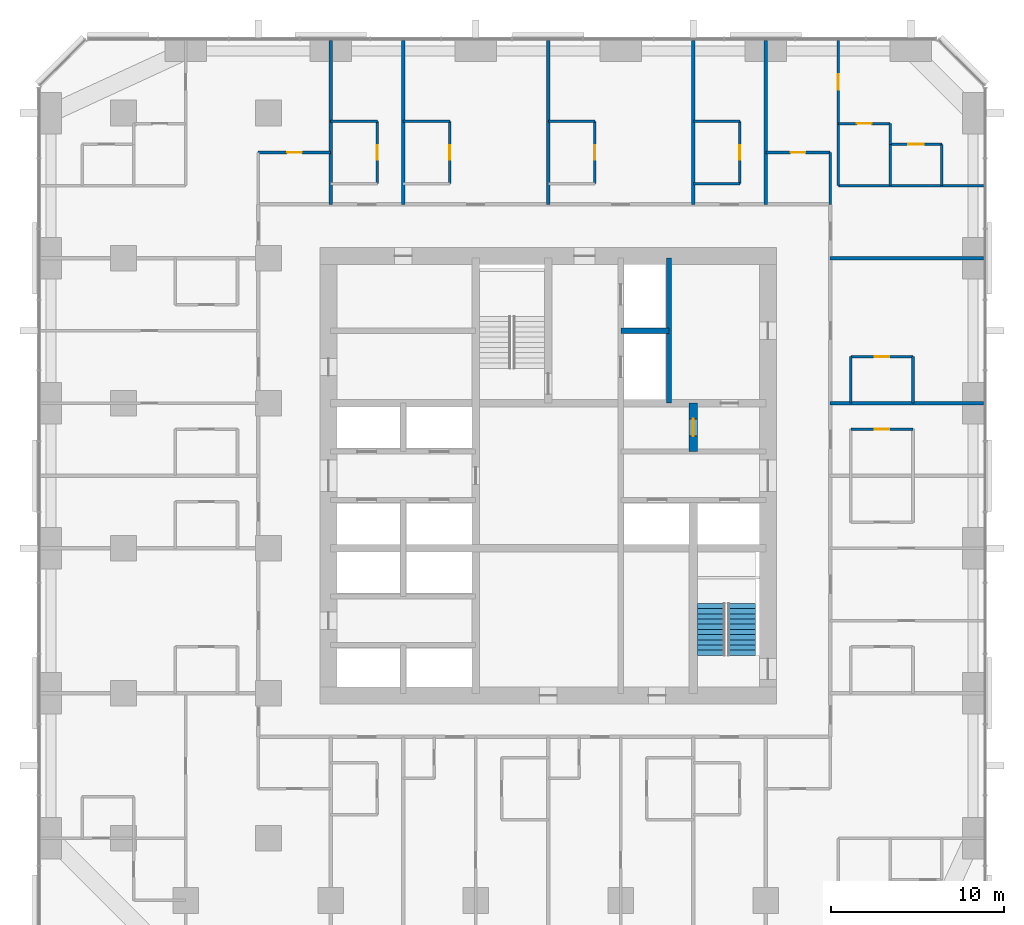
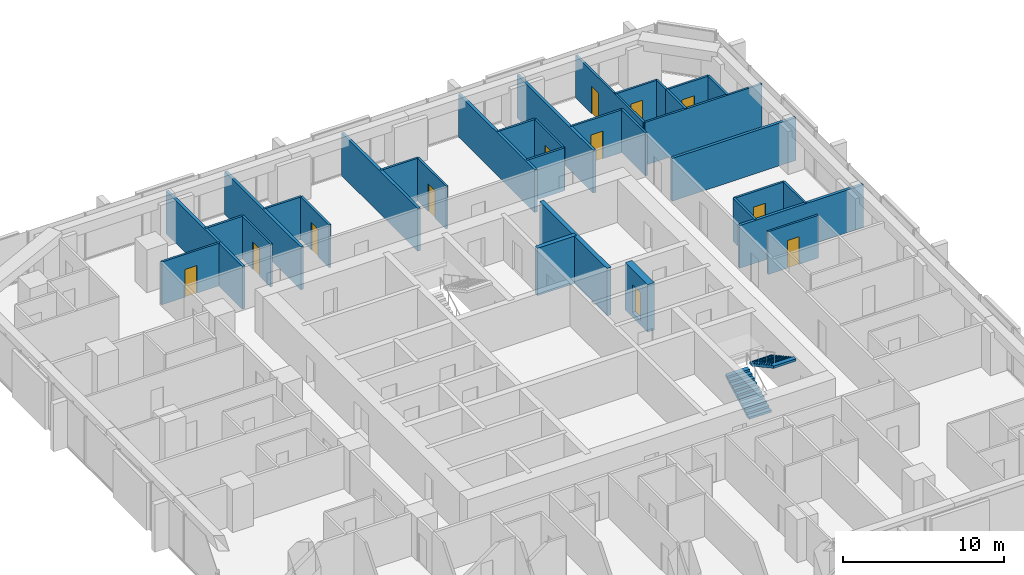
# One storey, part 12 of 14: 33 walls, 12 doors, 2 stair flights, 12 openings, 1 element without a shape of its own.
"""IFC4 building model written with IfcOpenShell, lengths in metres."""

from ifc_helpers import new_model, si_unit, direction, frame, frame_2d, origin, place, context, subcontext, project, spatial, polyline, rectangle, outline, extrude, material, layer, layer_set, type_object, element, fill, aggregate, save


model = new_model("IFC4")

# Units and contexts
model_context = context("Model", 3, precision=1e-05, world=origin(), true_north=direction((0.0, 1.0)))
body_context = subcontext(model_context, "Body", "Model", "MODEL_VIEW")
ifc_project = project(units=[si_unit("LENGTHUNIT", "METRE"), si_unit("AREAUNIT", "SQUARE_METRE"), si_unit("VOLUMEUNIT", "CUBIC_METRE"), si_unit("PLANEANGLEUNIT", "RADIAN"), si_unit("MASSUNIT", "GRAM", prefix="KILO")], contexts=[model_context])

# Site, building, storey
site_placement = place(None, origin())
site = spatial("IfcSite", under=ifc_project, at=site_placement, CompositionType="ELEMENT")
building_placement = place(site_placement, origin())
building = spatial("IfcBuilding", under=site, at=building_placement, Name="Dunama Terrace Hotel", CompositionType="ELEMENT")
storey_placement = place(building_placement, frame((0.0, 0.0, 133.199951171875)))
storey = spatial("IfcBuildingStorey", under=building, at=storey_placement, Name="L34", CompositionType="ELEMENT", Elevation=133.199951171875)

# Wall, opening, door
ifc_material_1 = material(Name="Gypsum board partition", Category="masonry")
ifc_layer_1 = layer(ifc_material_1, 0.14990234375)
ifc_layer_set_1 = layer_set([ifc_layer_1], Name="Bathroom partition 150")
wall_type_1 = type_object("IfcWallType", Name="Bathroom partition 150", PredefinedType="PARTITIONING", material=ifc_layer_set_1)
wall_1_placement = place(storey_placement, frame((19.5, 46.324951171875, 0.0), z_axis=(0.0, 0.0, 1.0), x_axis=(0.0, 1.0, 0.0)))
wall_1 = element("IfcWall", 1, at=wall_1_placement, inside=storey, type_object=wall_type_1, Name="Bathroom partition 150 L34", PredefinedType="PARTITIONING", context=body_context, shape_type="SweptSolid", body=[
    extrude(rectangle(XDim=3.60009765625, YDim=0.14990234375, at=frame_2d((1.800048828125, 0.0))), origin(), (0.0, 0.0, 1.0), 3.25),
])
opening_1_placement = place(wall_1_placement, frame((1.375, 0.0, 0.0)))
opening_1 = element("IfcOpeningElement", 2, at=opening_1_placement, cuts=wall_1, Name="Opening L34-36-033", PredefinedType="OPENING", context=body_context, shape_type="SweptSolid", body=[
    extrude(rectangle(XDim=0.85009765625, YDim=2.10009765625, at=frame_2d((0.425048828125, 1.050048828125))), frame((0.0, 0.0849609375, 0.0), z_axis=(0.0, -1.0, 0.0), x_axis=(1.0, 0.0, 0.0)), (0.0, 0.0, 1.0), 0.169921875),
])
ifc_material_2 = material(Name="Timber door with steel frame", Category="steel")
door_type_1 = type_object("IfcDoorType", Name="Bathroom door 850", OperationType="SINGLE_SWING_LEFT", PredefinedType="DOOR", material=ifc_material_2)
door_1_placement = place(opening_1_placement, origin())
door_1 = element("IfcDoor", 3, at=door_1_placement, inside=storey, type_object=door_type_1, Name="Door to en-suite bathroom L34-36-033, type D2", OperationType="SINGLE_SWING_RIGHT", OverallHeight=2.10009765625, OverallWidth=0.85009765625, PredefinedType="DOOR", context=body_context, shape_type="SweptSolid", body=[
    extrude(rectangle(XDim=0.85009765625, YDim=2.10009765625, at=frame_2d((0.425048828125, 1.050048828125))), frame((0.0, 0.02490234375, 0.0), z_axis=(0.0, -1.0, 0.0), x_axis=(1.0, 0.0, 0.0)), (0.0, 0.0, 1.0), 0.050048828125),
])
fill(opening_1, door_1)

wall_2_placement = place(storey_placement, frame((23.699951171875, 46.324951171875, 0.0), z_axis=(0.0, 0.0, 1.0), x_axis=(0.0, 1.0, 0.0)))
wall_2 = element("IfcWall", 4, at=wall_2_placement, inside=storey, type_object=wall_type_1, Name="Bathroom partition 150 L34", PredefinedType="PARTITIONING", context=body_context, shape_type="SweptSolid", body=[
    extrude(rectangle(XDim=3.60009765625, YDim=0.14990234375, at=frame_2d((1.800048828125, 0.0))), origin(), (0.0, 0.0, 1.0), 3.25),
])
opening_2_placement = place(wall_2_placement, frame((1.375, 0.0, 0.0)))
opening_2 = element("IfcOpeningElement", 5, at=opening_2_placement, cuts=wall_2, Name="Opening L34-36-035", PredefinedType="OPENING", context=body_context, shape_type="SweptSolid", body=[
    extrude(rectangle(XDim=0.85009765625, YDim=2.10009765625, at=frame_2d((0.425048828125, 1.050048828125))), frame((0.0, 0.0849609375, 0.0), z_axis=(0.0, -1.0, 0.0), x_axis=(1.0, 0.0, 0.0)), (0.0, 0.0, 1.0), 0.169921875),
])
door_2_placement = place(opening_2_placement, origin())
door_2 = element("IfcDoor", 6, at=door_2_placement, inside=storey, type_object=door_type_1, Name="Door to en-suite bathroom L34-36-035, type D2", OperationType="SINGLE_SWING_RIGHT", OverallHeight=2.10009765625, OverallWidth=0.85009765625, PredefinedType="DOOR", context=body_context, shape_type="SweptSolid", body=[
    extrude(rectangle(XDim=0.85009765625, YDim=2.10009765625, at=frame_2d((0.425048828125, 1.050048828125))), frame((0.0, 0.02490234375, 0.0), z_axis=(0.0, -1.0, 0.0), x_axis=(1.0, 0.0, 0.0)), (0.0, 0.0, 1.0), 0.050048828125),
])
fill(opening_2, door_2)

wall_3_placement = place(storey_placement, frame((32.10009765625, 46.324951171875, 0.0), z_axis=(0.0, 0.0, 1.0), x_axis=(0.0, 1.0, 0.0)))
wall_3 = element("IfcWall", 7, at=wall_3_placement, inside=storey, type_object=wall_type_1, Name="Bathroom partition 150 L34", PredefinedType="PARTITIONING", context=body_context, shape_type="SweptSolid", body=[
    extrude(rectangle(XDim=3.60009765625, YDim=0.14990234375, at=frame_2d((1.800048828125, 0.0))), origin(), (0.0, 0.0, 1.0), 3.25),
])
opening_3_placement = place(wall_3_placement, frame((1.375, 0.0, 0.0)))
opening_3 = element("IfcOpeningElement", 8, at=opening_3_placement, cuts=wall_3, Name="Opening L34-36-037", PredefinedType="OPENING", context=body_context, shape_type="SweptSolid", body=[
    extrude(rectangle(XDim=0.85009765625, YDim=2.10009765625, at=frame_2d((0.425048828125, 1.050048828125))), frame((0.0, 0.0849609375, 0.0), z_axis=(0.0, -1.0, 0.0), x_axis=(1.0, 0.0, 0.0)), (0.0, 0.0, 1.0), 0.169921875),
])
door_3_placement = place(opening_3_placement, origin())
door_3 = element("IfcDoor", 9, at=door_3_placement, inside=storey, type_object=door_type_1, Name="Door to en-suite bathroom L34-36-037, type D2", OperationType="SINGLE_SWING_RIGHT", OverallHeight=2.10009765625, OverallWidth=0.85009765625, PredefinedType="DOOR", context=body_context, shape_type="SweptSolid", body=[
    extrude(rectangle(XDim=0.85009765625, YDim=2.10009765625, at=frame_2d((0.425048828125, 1.050048828125))), frame((0.0, 0.02490234375, 0.0), z_axis=(0.0, -1.0, 0.0), x_axis=(1.0, 0.0, 0.0)), (0.0, 0.0, 1.0), 0.050048828125),
])
fill(opening_3, door_3)

wall_4_placement = place(storey_placement, frame((40.5, 46.324951171875, 0.0), z_axis=(0.0, 0.0, 1.0), x_axis=(0.0, 1.0, 0.0)))
wall_4 = element("IfcWall", 10, at=wall_4_placement, inside=storey, type_object=wall_type_1, Name="Bathroom partition 150 L34", PredefinedType="PARTITIONING", context=body_context, shape_type="SweptSolid", body=[
    extrude(rectangle(XDim=3.60009765625, YDim=0.14990234375, at=frame_2d((1.800048828125, 0.0))), origin(), (0.0, 0.0, 1.0), 3.25),
])
opening_4_placement = place(wall_4_placement, frame((1.375, 0.0, 0.0)))
opening_4 = element("IfcOpeningElement", 11, at=opening_4_placement, cuts=wall_4, Name="Opening L34-36-039", PredefinedType="OPENING", context=body_context, shape_type="SweptSolid", body=[
    extrude(rectangle(XDim=0.85009765625, YDim=2.10009765625, at=frame_2d((0.425048828125, 1.050048828125))), frame((0.0, 0.0849609375, 0.0), z_axis=(0.0, -1.0, 0.0), x_axis=(1.0, 0.0, 0.0)), (0.0, 0.0, 1.0), 0.169921875),
])
door_4_placement = place(opening_4_placement, origin())
door_4 = element("IfcDoor", 12, at=door_4_placement, inside=storey, type_object=door_type_1, Name="Door to en-suite bathroom L34-36-039, type D2", OperationType="SINGLE_SWING_RIGHT", OverallHeight=2.10009765625, OverallWidth=0.85009765625, PredefinedType="DOOR", context=body_context, shape_type="SweptSolid", body=[
    extrude(rectangle(XDim=0.85009765625, YDim=2.10009765625, at=frame_2d((0.425048828125, 1.050048828125))), frame((0.0, 0.02490234375, 0.0), z_axis=(0.0, -1.0, 0.0), x_axis=(1.0, 0.0, 0.0)), (0.0, 0.0, 1.0), 0.050048828125),
])
fill(opening_4, door_4)

# Walls
wall_5_placement = place(storey_placement, frame((45.72509765625, 45.125, 0.0), z_axis=(0.0, 0.0, 1.0), x_axis=(0.0, 1.0, 0.0)))
element("IfcWall", 13, at=wall_5_placement, inside=storey, type_object=wall_type_1, Name="Bathroom partition 150 L34", PredefinedType="PARTITIONING", context=body_context, shape_type="SweptSolid", body=[
    extrude(rectangle(XDim=3.0, YDim=0.14990234375, at=frame_2d((1.5, 0.0))), origin(), (0.0, 0.0, 1.0), 3.25),
])
wall_6_placement = place(storey_placement, frame((46.925048828125, 33.60009765625, 0.0), z_axis=(0.0, 0.0, 1.0), x_axis=(0.0, 1.0, 0.0)))
element("IfcWall", 14, at=wall_6_placement, inside=storey, type_object=wall_type_1, Name="Bathroom partition 150 L34", PredefinedType="PARTITIONING", context=body_context, shape_type="SweptSolid", body=[
    extrude(rectangle(XDim=2.699951171875, YDim=0.14990234375, at=frame_2d((1.35009765625, 0.0))), origin(), (0.0, 0.0, 1.0), 3.25),
])
wall_7_placement = place(storey_placement, frame((49.199951171875, 48.60009765625, 0.0), z_axis=(0.0, 0.0, 1.0), x_axis=(0.0, 1.0, 0.0)))
element("IfcWall", 15, at=wall_7_placement, inside=storey, type_object=wall_type_1, Name="Bathroom partition 150 L34", PredefinedType="PARTITIONING", context=body_context, shape_type="SweptSolid", body=[
    extrude(rectangle(XDim=1.199951171875, YDim=0.14990234375, at=frame_2d((0.60009765625, 0.0))), origin(), (0.0, 0.0, 1.0), 3.25),
])
wall_8_placement = place(storey_placement, frame((50.52490234375, 33.60009765625, 0.0), z_axis=(0.0, 0.0, 1.0), x_axis=(0.0, 1.0, 0.0)))
element("IfcWall", 16, at=wall_8_placement, inside=storey, type_object=wall_type_1, Name="Bathroom partition 150 L34", PredefinedType="PARTITIONING", context=body_context, shape_type="SweptSolid", body=[
    extrude(rectangle(XDim=2.699951171875, YDim=0.14990234375, at=frame_2d((1.35009765625, 0.0))), origin(), (0.0, 0.0, 1.0), 3.25),
])

# Wall, opening, door
wall_9_placement = place(storey_placement, frame((46.925048828125, 32.10009765625, 0.0), z_axis=(0.0, 0.0, 1.0), x_axis=(1.0, 0.0, 0.0)))
wall_9 = element("IfcWall", 17, at=wall_9_placement, inside=storey, type_object=wall_type_1, Name="Bathroom partition 150 L34", PredefinedType="PARTITIONING", context=body_context, shape_type="SweptSolid", body=[
    extrude(rectangle(XDim=3.599853515625, YDim=0.14990234375, at=frame_2d((1.7998046875, 0.0))), origin(), (0.0, 0.0, 1.0), 3.25),
])
opening_5_placement = place(wall_9_placement, frame((1.375, 0.0, 0.0)))
opening_5 = element("IfcOpeningElement", 18, at=opening_5_placement, cuts=wall_9, Name="Opening L34-36-029", PredefinedType="OPENING", context=body_context, shape_type="SweptSolid", body=[
    extrude(rectangle(XDim=0.85009765625, YDim=2.10009765625, at=frame_2d((0.425048828125, 1.050048828125))), frame((0.0, 0.0849609375, 0.0), z_axis=(0.0, -1.0, 0.0), x_axis=(1.0, 0.0, 0.0)), (0.0, 0.0, 1.0), 0.169921875),
])
door_5_placement = place(opening_5_placement, frame((0.85009765625, 0.0, 0.0), z_axis=(0.0, 0.0, 1.0), x_axis=(-1.0, 0.0, 0.0)))
door_5 = element("IfcDoor", 19, at=door_5_placement, inside=storey, type_object=door_type_1, Name="Door to en-suite bathroom L34-36-029, type D2", OperationType="SINGLE_SWING_RIGHT", OverallHeight=2.10009765625, OverallWidth=0.85009765625, PredefinedType="DOOR", context=body_context, shape_type="SweptSolid", body=[
    extrude(rectangle(XDim=0.85009765625, YDim=2.10009765625, at=frame_2d((0.425048828125, 1.050048828125))), frame((0.0, 0.025146484375, 0.0), z_axis=(0.0, -1.0, 0.0), x_axis=(1.0, 0.0, 0.0)), (0.0, 0.0, 1.0), 0.050048828125),
])
fill(opening_5, door_5)

wall_10_placement = place(storey_placement, frame((46.925048828125, 36.300048828125, 0.0), z_axis=(0.0, 0.0, 1.0), x_axis=(1.0, 0.0, 0.0)))
wall_10 = element("IfcWall", 20, at=wall_10_placement, inside=storey, type_object=wall_type_1, Name="Bathroom partition 150 L34", PredefinedType="PARTITIONING", context=body_context, shape_type="SweptSolid", body=[
    extrude(rectangle(XDim=3.599853515625, YDim=0.14990234375, at=frame_2d((1.7998046875, 0.0))), origin(), (0.0, 0.0, 1.0), 3.25),
])
opening_6_placement = place(wall_10_placement, frame((1.375, 0.0, 0.0)))
opening_6 = element("IfcOpeningElement", 21, at=opening_6_placement, cuts=wall_10, Name="Opening L34-36-031", PredefinedType="OPENING", context=body_context, shape_type="SweptSolid", body=[
    extrude(rectangle(XDim=0.85009765625, YDim=2.10009765625, at=frame_2d((0.425048828125, 1.050048828125))), frame((0.0, 0.0849609375, 0.0), z_axis=(0.0, -1.0, 0.0), x_axis=(1.0, 0.0, 0.0)), (0.0, 0.0, 1.0), 0.169921875),
])
door_6_placement = place(opening_6_placement, frame((0.85009765625, 0.0, 0.0), z_axis=(0.0, 0.0, 1.0), x_axis=(-1.0, 0.0, 0.0)))
door_6 = element("IfcDoor", 22, at=door_6_placement, inside=storey, type_object=door_type_1, Name="Door to en-suite bathroom L34-36-031, type D2", OperationType="SINGLE_SWING_RIGHT", OverallHeight=2.10009765625, OverallWidth=0.85009765625, PredefinedType="DOOR", context=body_context, shape_type="SweptSolid", body=[
    extrude(rectangle(XDim=0.85009765625, YDim=2.10009765625, at=frame_2d((0.425048828125, 1.050048828125))), frame((0.0, 0.025146484375, 0.0), z_axis=(0.0, -1.0, 0.0), x_axis=(1.0, 0.0, 0.0)), (0.0, 0.0, 1.0), 0.050048828125),
])
fill(opening_6, door_6)

# Wall
wall_11_placement = place(storey_placement, frame((37.800048828125, 46.324951171875, 0.0), z_axis=(0.0, 0.0, 1.0), x_axis=(1.0, 0.0, 0.0)))
element("IfcWall", 23, at=wall_11_placement, inside=storey, type_object=wall_type_1, Name="Bathroom partition 150 L34", PredefinedType="PARTITIONING", context=body_context, shape_type="SweptSolid", body=[
    extrude(rectangle(XDim=2.699951171875, YDim=0.14990234375, at=frame_2d((1.35009765625, 0.0))), origin(), (0.0, 0.0, 1.0), 3.25),
])

# Wall, opening, door
wall_12_placement = place(storey_placement, frame((12.60009765625, 48.125, 0.0), z_axis=(0.0, 0.0, 1.0), x_axis=(1.0, 0.0, 0.0)))
wall_12 = element("IfcWall", 24, at=wall_12_placement, inside=storey, type_object=wall_type_1, Name="Bathroom partition 150 L34", PredefinedType="PARTITIONING", context=body_context, shape_type="SweptSolid", body=[
    extrude(rectangle(XDim=4.199951171875, YDim=0.14990234375, at=frame_2d((2.10009765625, 0.0))), origin(), (0.0, 0.0, 1.0), 3.25),
])
opening_7_placement = place(wall_12_placement, frame((1.675048828125, 0.0, 0.0)))
opening_7 = element("IfcOpeningElement", 25, at=opening_7_placement, cuts=wall_12, Name="Opening L34-36-066", PredefinedType="OPENING", context=body_context, shape_type="SweptSolid", body=[
    extrude(rectangle(XDim=0.85009765625, YDim=2.10009765625, at=frame_2d((0.425048828125, 1.050048828125))), frame((0.0, 0.0849609375, 0.0), z_axis=(0.0, -1.0, 0.0), x_axis=(1.0, 0.0, 0.0)), (0.0, 0.0, 1.0), 0.169921875),
])
door_7_placement = place(opening_7_placement, frame((0.85009765625, 0.0, 0.0), z_axis=(0.0, 0.0, 1.0), x_axis=(-1.0, 0.0, 0.0)))
door_7 = element("IfcDoor", 26, at=door_7_placement, inside=storey, type_object=door_type_1, Name="Door to powder room L34-36-066, type D2", OperationType="SINGLE_SWING_RIGHT", OverallHeight=2.10009765625, OverallWidth=0.85009765625, PredefinedType="DOOR", context=body_context, shape_type="SweptSolid", body=[
    extrude(rectangle(XDim=0.85009765625, YDim=2.10009765625, at=frame_2d((0.425048828125, 1.050048828125))), frame((0.0, 0.025146484375, 0.0), z_axis=(0.0, -1.0, 0.0), x_axis=(1.0, 0.0, 0.0)), (0.0, 0.0, 1.0), 0.050048828125),
])
fill(opening_7, door_7)

wall_13_placement = place(storey_placement, frame((42.0, 48.125, 0.0), z_axis=(0.0, 0.0, 1.0), x_axis=(1.0, 0.0, 0.0)))
wall_13 = element("IfcWall", 27, at=wall_13_placement, inside=storey, type_object=wall_type_1, Name="Bathroom partition 150 L34", PredefinedType="PARTITIONING", context=body_context, shape_type="SweptSolid", body=[
    extrude(rectangle(XDim=3.72509765625, YDim=0.14990234375, at=frame_2d((1.862548828125, 0.0))), origin(), (0.0, 0.0, 1.0), 3.25),
])
opening_8_placement = place(wall_13_placement, frame((1.43798828125, 0.0, 0.0)))
opening_8 = element("IfcOpeningElement", 28, at=opening_8_placement, cuts=wall_13, Name="Opening L34-36-061", PredefinedType="OPENING", context=body_context, shape_type="SweptSolid", body=[
    extrude(rectangle(XDim=0.85009765625, YDim=2.10009765625, at=frame_2d((0.425048828125, 1.050048828125))), frame((0.0, 0.0849609375, 0.0), z_axis=(0.0, -1.0, 0.0), x_axis=(1.0, 0.0, 0.0)), (0.0, 0.0, 1.0), 0.169921875),
])
door_8_placement = place(opening_8_placement, frame((0.85009765625, 0.0, 0.0), z_axis=(0.0, 0.0, 1.0), x_axis=(-1.0, 0.0, 0.0)))
door_8 = element("IfcDoor", 29, at=door_8_placement, inside=storey, type_object=door_type_1, Name="Door to powder room L34-36-061, type D2", OperationType="SINGLE_SWING_RIGHT", OverallHeight=2.10009765625, OverallWidth=0.85009765625, PredefinedType="DOOR", context=body_context, shape_type="SweptSolid", body=[
    extrude(rectangle(XDim=0.85009765625, YDim=2.10009765625, at=frame_2d((0.425048828125, 1.050048828125))), frame((0.0, 0.025146484375, 0.0), z_axis=(0.0, -1.0, 0.0), x_axis=(1.0, 0.0, 0.0)), (0.0, 0.0, 1.0), 0.050048828125),
])
fill(opening_8, door_8)

wall_14_placement = place(storey_placement, frame((46.199951171875, 49.800048828125, 0.0), z_axis=(0.0, 0.0, 1.0), x_axis=(1.0, 0.0, 0.0)))
wall_14 = element("IfcWall", 30, at=wall_14_placement, inside=storey, type_object=wall_type_1, Name="Bathroom partition 150 L34", PredefinedType="PARTITIONING", context=body_context, shape_type="SweptSolid", body=[
    extrude(rectangle(XDim=3.0, YDim=0.14990234375, at=frame_2d((1.5, 0.0))), origin(), (0.0, 0.0, 1.0), 3.25),
])
opening_9_placement = place(wall_14_placement, frame((1.074951171875, 0.0, 0.0)))
opening_9 = element("IfcOpeningElement", 31, at=opening_9_placement, cuts=wall_14, Name="Opening L34-36-063", PredefinedType="OPENING", context=body_context, shape_type="SweptSolid", body=[
    extrude(rectangle(XDim=0.85009765625, YDim=2.10009765625, at=frame_2d((0.425048828125, 1.050048828125))), frame((0.0, 0.0849609375, 0.0), z_axis=(0.0, -1.0, 0.0), x_axis=(1.0, 0.0, 0.0)), (0.0, 0.0, 1.0), 0.169921875),
])
door_9_placement = place(opening_9_placement, frame((0.85009765625, 0.0, 0.0), z_axis=(0.0, 0.0, 1.0), x_axis=(-1.0, 0.0, 0.0)))
door_9 = element("IfcDoor", 32, at=door_9_placement, inside=storey, type_object=door_type_1, Name="Door to en-suite bathroom L34-36-063, type D2", OperationType="SINGLE_SWING_LEFT", OverallHeight=2.10009765625, OverallWidth=0.85009765625, PredefinedType="DOOR", context=body_context, shape_type="SweptSolid", body=[
    extrude(rectangle(XDim=0.85009765625, YDim=2.10009765625, at=frame_2d((0.425048828125, 1.050048828125))), frame((0.0, 0.025146484375, 0.0), z_axis=(0.0, -1.0, 0.0), x_axis=(1.0, 0.0, 0.0)), (0.0, 0.0, 1.0), 0.050048828125),
])
fill(opening_9, door_9)

# Walls
for number, where, z_axis, x_axis, name in (
    (33, (16.800048828125, 49.925048828125, 0.0), (0.0, 0.0, 1.0), (1.0, 0.0, 0.0), "Bathroom partition 150 L34"),
    (34, (21.0, 49.925048828125, 0.0), (0.0, 0.0, 1.0), (1.0, 0.0, 0.0), "Bathroom partition 150 L34"),
):
    element("IfcWall", number, at=place(storey_placement, frame(where, z_axis=z_axis, x_axis=x_axis)), inside=storey, type_object=wall_type_1, Name=name, PredefinedType="PARTITIONING", context=body_context, shape_type="SweptSolid", body=[
        extrude(rectangle(XDim=2.699951171875, YDim=0.14990234375, at=frame_2d((1.35009765625, 0.0))), origin(), (0.0, 0.0, 1.0), 3.25),
    ])
wall_15_placement = place(storey_placement, frame((29.39990234375, 49.925048828125, 0.0), z_axis=(0.0, 0.0, 1.0), x_axis=(1.0, 0.0, 0.0)))
element("IfcWall", 35, at=wall_15_placement, inside=storey, type_object=wall_type_1, Name="Bathroom partition 150 L34", PredefinedType="PARTITIONING", context=body_context, shape_type="SweptSolid", body=[
    extrude(rectangle(XDim=2.7001953125, YDim=0.14990234375, at=frame_2d((1.35009765625, 0.0))), origin(), (0.0, 0.0, 1.0), 3.25),
])
wall_16_placement = place(storey_placement, frame((37.800048828125, 49.925048828125, 0.0), z_axis=(0.0, 0.0, 1.0), x_axis=(1.0, 0.0, 0.0)))
element("IfcWall", 36, at=wall_16_placement, inside=storey, type_object=wall_type_1, Name="Bathroom partition 150 L34", PredefinedType="PARTITIONING", context=body_context, shape_type="SweptSolid", body=[
    extrude(rectangle(XDim=2.699951171875, YDim=0.14990234375, at=frame_2d((1.35009765625, 0.0))), origin(), (0.0, 0.0, 1.0), 3.25),
])
ifc_material_3 = material(Name="Concrete C50/60", Category="concrete")
ifc_layer_2 = layer(ifc_material_3, 0.300048828125)
ifc_layer_set_2 = layer_set([ifc_layer_2], Name="Core inner wall 300")
wall_type_2 = type_object("IfcWallType", Name="Core inner wall 300", PredefinedType="SHEAR", material=ifc_layer_set_2)
wall_17_placement = place(storey_placement, frame((36.39990234375, 33.60009765625, -0.349853515625), z_axis=(0.0, 0.0, 1.0), x_axis=(0.0, 1.0, 0.0)))
element("IfcWall", 37, at=wall_17_placement, inside=storey, type_object=wall_type_2, Name="Core inner wall 300 L34", PredefinedType="SHEAR", context=body_context, shape_type="SweptSolid", body=[
    extrude(rectangle(XDim=8.39990234375, YDim=0.300048828125, at=frame_2d((4.199951171875, 0.0))), origin(), (0.0, 0.0, 1.0), 3.599853515625),
])
wall_18_placement = place(storey_placement, frame((33.60009765625, 37.800048828125, -0.349853515625), z_axis=(0.0, 0.0, 1.0), x_axis=(1.0, 0.0, 0.0)))
element("IfcWall", 38, at=wall_18_placement, inside=storey, type_object=wall_type_2, Name="Core inner wall 300 L34", PredefinedType="SHEAR", context=body_context, shape_type="SweptSolid", body=[
    extrude(rectangle(XDim=2.7998046875, YDim=0.300048828125, at=frame_2d((1.39990234375, 0.0))), origin(), (0.0, 0.0, 1.0), 3.599853515625),
])

# Wall, opening, door
ifc_material_4 = material(Name="Concrete C50/60", Category="concrete")
ifc_layer_3 = layer(ifc_material_4, 0.5)
ifc_layer_set_3 = layer_set([ifc_layer_3], Name="Core inner wall 500")
wall_type_3 = type_object("IfcWallType", Name="Core inner wall 500", PredefinedType="SHEAR", material=ifc_layer_set_3)
wall_19_placement = place(storey_placement, frame((37.800048828125, 30.800048828125, -0.349853515625), z_axis=(0.0, 0.0, 1.0), x_axis=(0.0, 1.0, 0.0)))
wall_19 = element("IfcWall", 39, at=wall_19_placement, inside=storey, type_object=wall_type_3, Name="Core inner wall 500 L34", PredefinedType="SHEAR", context=body_context, shape_type="SweptSolid", body=[
    extrude(rectangle(XDim=2.800048828125, YDim=0.5, at=frame_2d((1.39990234375, 0.0))), origin(), (0.0, 0.0, 1.0), 3.599853515625),
])
opening_10_placement = place(wall_19_placement, frame((0.89990234375, 0.0, 0.35009765625)))
opening_10 = element("IfcOpeningElement", 40, at=opening_10_placement, cuts=wall_19, Name="Opening L34-36-075", PredefinedType="OPENING", context=body_context, shape_type="SweptSolid", body=[
    extrude(rectangle(XDim=1.0, YDim=2.10009765625, at=frame_2d((0.5, 1.050048828125))), frame((0.0, 0.260009765625, 0.0), z_axis=(0.0, -1.0, 0.0), x_axis=(1.0, 0.0, 0.0)), (0.0, 0.0, 1.0), 0.52001953125),
])
ifc_material_5 = material(Name="Timber door with steel frame", Category="steel")
door_type_2 = type_object("IfcDoorType", Name="Service door 1000", OperationType="SINGLE_SWING_LEFT", PredefinedType="DOOR", material=ifc_material_5)
door_10_placement = place(opening_10_placement, frame((1.0, 0.0, 0.0), z_axis=(0.0, 0.0, 1.0), x_axis=(-1.0, 0.0, 0.0)))
door_10 = element("IfcDoor", 41, at=door_10_placement, inside=storey, type_object=door_type_2, Name="Door to service riser L34-36-075, type D7", OperationType="SINGLE_SWING_LEFT", OverallHeight=2.10009765625, OverallWidth=1.0, PredefinedType="DOOR", context=body_context, shape_type="SweptSolid", body=[
    extrude(rectangle(XDim=1.0, YDim=2.10009765625, at=frame_2d((0.5, 1.050048828125))), frame((0.0, 0.025146484375, 0.0), z_axis=(0.0, -1.0, 0.0), x_axis=(1.0, 0.0, 0.0)), (0.0, 0.0, 1.0), 0.050048828125),
])
fill(opening_10, door_10)

# Walls
ifc_material_6 = material(Name="Concrete blockwork", Category="masonry")
ifc_layer_4 = layer(ifc_material_6, 0.199951171875)
ifc_layer_set_4 = layer_set([ifc_layer_4], Name="Party wall 200")
wall_type_4 = type_object("IfcWallType", Name="Party wall 200", PredefinedType="PARTITIONING", material=ifc_layer_set_4)
for number, where, z_axis, x_axis, name in (
    (42, (16.800048828125, 45.125, 0.0), (0.0, 0.0, 1.0), (0.0, 1.0, 0.0), "Party wall 200 L34"),
    (43, (21.0, 45.125, 0.0), (0.0, 0.0, 1.0), (0.0, 1.0, 0.0), "Party wall 200 L34"),
    (44, (29.39990234375, 45.125, 0.0), (0.0, 0.0, 1.0), (0.0, 1.0, 0.0), "Party wall 200 L34"),
    (45, (37.800048828125, 45.125, 0.0), (0.0, 0.0, 1.0), (0.0, 1.0, 0.0), "Party wall 200 L34"),
    (46, (42.0, 45.125, 0.0), (0.0, 0.0, 1.0), (0.0, 1.0, 0.0), "Party wall 200 L34"),
):
    element("IfcWall", number, at=place(storey_placement, frame(where, z_axis=z_axis, x_axis=x_axis)), inside=storey, type_object=wall_type_4, Name=name, PredefinedType="PARTITIONING", context=body_context, shape_type="SweptSolid", body=[
        extrude(rectangle(XDim=9.492919921875, YDim=0.199951171875, at=frame_2d((4.74658203125, 0.0))), origin(), (0.0, 0.0, 1.0), 3.25),
    ])
for number, where, z_axis, x_axis, name in (
    (47, (45.72509765625, 33.60009765625, 0.0), (0.0, 0.0, 1.0), (1.0, 0.0, 0.0), "Party wall 200 L34"),
    (48, (45.72509765625, 42.0, 0.0), (0.0, 0.0, 1.0), (1.0, 0.0, 0.0), "Party wall 200 L34"),
):
    element("IfcWall", number, at=place(storey_placement, frame(where, z_axis=z_axis, x_axis=x_axis)), inside=storey, type_object=wall_type_4, Name=name, PredefinedType="PARTITIONING", context=body_context, shape_type="SweptSolid", body=[
        extrude(rectangle(XDim=8.892822265625, YDim=0.199951171875, at=frame_2d((4.4462890625, 0.0))), origin(), (0.0, 0.0, 1.0), 3.25),
    ])

# Wall, opening, door
ifc_material_7 = material(Name="Gypsum board partition", Category="masonry")
ifc_layer_5 = layer(ifc_material_7, 0.14990234375)
ifc_layer_set_5 = layer_set([ifc_layer_5], Name="Room partition 150")
wall_type_5 = type_object("IfcWallType", Name="Room partition 150", PredefinedType="PARTITIONING", material=ifc_layer_set_5)
wall_20_placement = place(storey_placement, frame((46.199951171875, 46.199951171875, 0.0), z_axis=(0.0, 0.0, 1.0), x_axis=(0.0, 1.0, 0.0)))
wall_20 = element("IfcWall", 49, at=wall_20_placement, inside=storey, type_object=wall_type_5, Name="Room partition 150 L34", PredefinedType="PARTITIONING", context=body_context, shape_type="SweptSolid", body=[
    extrude(rectangle(XDim=8.41796875, YDim=0.14990234375, at=frame_2d((4.208984375, 0.0))), origin(), (0.0, 0.0, 1.0), 3.25),
])
opening_11_placement = place(wall_20_placement, frame((5.550048828125, 0.0, 0.0)))
opening_11 = element("IfcOpeningElement", 50, at=opening_11_placement, cuts=wall_20, Name="Opening L34-36-062", PredefinedType="OPENING", context=body_context, shape_type="SweptSolid", body=[
    extrude(rectangle(XDim=0.89990234375, YDim=2.10009765625, at=frame_2d((0.449951171875, 1.050048828125))), frame((0.0, 0.0849609375, 0.0), z_axis=(0.0, -1.0, 0.0), x_axis=(1.0, 0.0, 0.0)), (0.0, 0.0, 1.0), 0.169921875),
])
ifc_material_8 = material(Name="Timber door with steel frame", Category="steel")
door_type_3 = type_object("IfcDoorType", Name="Suite internal door 900", OperationType="SINGLE_SWING_LEFT", PredefinedType="DOOR", material=ifc_material_8)
door_11_placement = place(opening_11_placement, frame((0.89990234375, 0.0, 0.0), z_axis=(0.0, 0.0, 1.0), x_axis=(-1.0, 0.0, 0.0)))
door_11 = element("IfcDoor", 51, at=door_11_placement, inside=storey, type_object=door_type_3, Name="Door to corner suite bedroom L34-36-062, type D16", OperationType="SINGLE_SWING_RIGHT", OverallHeight=2.10009765625, OverallWidth=0.89990234375, PredefinedType="DOOR", context=body_context, shape_type="SweptSolid", body=[
    extrude(rectangle(XDim=0.89990234375, YDim=2.10009765625, at=frame_2d((0.449951171875, 1.050048828125))), frame((0.0, 0.025146484375, 0.0), z_axis=(0.0, -1.0, 0.0), x_axis=(1.0, 0.0, 0.0)), (0.0, 0.0, 1.0), 0.050048828125),
])
fill(opening_11, door_11)

# Walls
for number, where, z_axis, x_axis, name in (
    (52, (49.199951171875, 46.199951171875, 0.0), (0.0, 0.0, 1.0), (0.0, 1.0, 0.0), "Room partition 150 L34"),
    (53, (52.199951171875, 46.199951171875, 0.0), (0.0, 0.0, 1.0), (0.0, 1.0, 0.0), "Room partition 150 L34"),
):
    element("IfcWall", number, at=place(storey_placement, frame(where, z_axis=z_axis, x_axis=x_axis)), inside=storey, type_object=wall_type_5, Name=name, PredefinedType="PARTITIONING", context=body_context, shape_type="SweptSolid", body=[
        extrude(rectangle(XDim=2.400146484375, YDim=0.14990234375, at=frame_2d((1.2001953125, 0.0))), origin(), (0.0, 0.0, 1.0), 3.25),
    ])
wall_21_placement = place(storey_placement, frame((46.199951171875, 46.199951171875, 0.0), z_axis=(0.0, 0.0, 1.0), x_axis=(1.0, 0.0, 0.0)))
element("IfcWall", 54, at=wall_21_placement, inside=storey, type_object=wall_type_5, Name="Room partition 150 L34", PredefinedType="PARTITIONING", context=body_context, shape_type="SweptSolid", body=[
    extrude(rectangle(XDim=8.41796875, YDim=0.14990234375, at=frame_2d((4.208984375, 0.0))), origin(), (0.0, 0.0, 1.0), 3.25),
])

# Wall, opening, door
wall_22_placement = place(storey_placement, frame((49.199951171875, 48.60009765625, 0.0), z_axis=(0.0, 0.0, 1.0), x_axis=(1.0, 0.0, 0.0)))
wall_22 = element("IfcWall", 55, at=wall_22_placement, inside=storey, type_object=wall_type_5, Name="Room partition 150 L34", PredefinedType="PARTITIONING", context=body_context, shape_type="SweptSolid", body=[
    extrude(rectangle(XDim=3.0, YDim=0.14990234375, at=frame_2d((1.5, 0.0))), origin(), (0.0, 0.0, 1.0), 3.25),
])
opening_12_placement = place(wall_22_placement, frame((1.050048828125, 0.0, 0.0)))
opening_12 = element("IfcOpeningElement", 56, at=opening_12_placement, cuts=wall_22, Name="Opening L34-36-064", PredefinedType="OPENING", context=body_context, shape_type="SweptSolid", body=[
    extrude(rectangle(XDim=0.89990234375, YDim=2.10009765625, at=frame_2d((0.449951171875, 1.050048828125))), frame((0.0, 0.0849609375, 0.0), z_axis=(0.0, -1.0, 0.0), x_axis=(1.0, 0.0, 0.0)), (0.0, 0.0, 1.0), 0.169921875),
])
door_12_placement = place(opening_12_placement, frame((0.89990234375, 0.0, 0.0), z_axis=(0.0, 0.0, 1.0), x_axis=(-1.0, 0.0, 0.0)))
door_12 = element("IfcDoor", 57, at=door_12_placement, inside=storey, type_object=door_type_3, Name="Door to dressing room L34-36-064, type D16", OperationType="SINGLE_SWING_RIGHT", OverallHeight=2.10009765625, OverallWidth=0.89990234375, PredefinedType="DOOR", context=body_context, shape_type="SweptSolid", body=[
    extrude(rectangle(XDim=0.89990234375, YDim=2.10009765625, at=frame_2d((0.449951171875, 1.050048828125))), frame((0.0, 0.025146484375, 0.0), z_axis=(0.0, -1.0, 0.0), x_axis=(1.0, 0.0, 0.0)), (0.0, 0.0, 1.0), 0.050048828125),
])
fill(opening_12, door_12)

# Stair, stair flights
ifc_material_9 = material(Name="Concrete C40/50", Category="concrete")
stair_type = type_object("IfcStairType", Name="Stair ST2-3600-1600", PredefinedType="HALF_TURN_STAIR", material=ifc_material_9)
stair_placement = place(storey_placement, origin())
stair = element("IfcStair", 58, at=stair_placement, inside=storey, type_object=stair_type, Name="Stair ST2 L34", PredefinedType="HALF_TURN_STAIR")
ifc_material_10 = material(Name="Concrete C40/50", Category="concrete")
stair_flight_type = type_object("IfcStairFlightType", Name="Stair flight ST2-3600-1600", PredefinedType="STRAIGHT", material=ifc_material_10)
stair_flight_1_placement = place(storey_placement, frame((38.85009765625, 19.0, 0.0), z_axis=(0.0, 0.0, 1.0), x_axis=(0.0, 1.0, 0.0)))
stair_flight_1 = element("IfcStairFlight", 59, at=stair_flight_1_placement, type_object=stair_flight_type, Name="ST2 flight 1", NumberOfRisers=11, NumberOfTreads=10, PredefinedType="STRAIGHT", RiserHeight=0.163636364, TreadLength=0.3, context=body_context, shape_type="SweptSolid", body=[
    extrude(outline(polyline([(0.0, 0.0), (0.0, 0.16357421875), (0.300048828125, 0.16357421875), (0.300048828125, 0.327392578125), (0.60009765625, 0.327392578125), (0.60009765625, 0.490966796875), (0.89990234375, 0.490966796875), (0.89990234375, 0.654541015625), (1.199951171875, 0.654541015625), (1.199951171875, 0.818115234375), (1.5, 0.818115234375), (1.5, 0.98193359375), (1.800048828125, 0.98193359375), (1.800048828125, 1.1455078125), (2.10009765625, 1.1455078125), (2.10009765625, 1.30908203125), (2.39990234375, 1.30908203125), (2.39990234375, 1.47265625), (2.699951171875, 1.47265625), (2.699951171875, 1.636474609375), (3.0, 1.636474609375), (3.0, 1.800048828125), (3.0, 1.465576171875), (0.31298828125, 0.0), (0.0, 0.0)])), frame((0.0, 0.800048828125, 0.0), z_axis=(0.0, -1.0, 0.0), x_axis=(1.0, 0.0, 0.0)), (0.0, 0.0, 1.0), 1.60009765625),
])
stair_flight_2_placement = place(storey_placement, frame((40.60009765625, 22.0, 1.800048828125), z_axis=(0.0, 0.0, 1.0), x_axis=(0.0, -1.0, 0.0)))
stair_flight_2 = element("IfcStairFlight", 60, at=stair_flight_2_placement, type_object=stair_flight_type, Name="ST2 flight 2", NumberOfRisers=11, NumberOfTreads=10, PredefinedType="STRAIGHT", RiserHeight=0.163636364, TreadLength=0.3, context=body_context, shape_type="SweptSolid", body=[
    extrude(outline(polyline([(0.0, 0.0), (0.0, 0.16357421875), (0.300048828125, 0.16357421875), (0.300048828125, 0.327392578125), (0.60009765625, 0.327392578125), (0.60009765625, 0.490966796875), (0.89990234375, 0.490966796875), (0.89990234375, 0.654541015625), (1.199951171875, 0.654541015625), (1.199951171875, 0.818115234375), (1.5, 0.818115234375), (1.5, 0.98193359375), (1.800048828125, 0.98193359375), (1.800048828125, 1.1455078125), (2.10009765625, 1.1455078125), (2.10009765625, 1.30908203125), (2.39990234375, 1.30908203125), (2.39990234375, 1.47265625), (2.699951171875, 1.47265625), (2.699951171875, 1.636474609375), (3.0, 1.636474609375), (3.0, 1.800048828125), (3.0, 1.465576171875), (0.31298828125, 0.0), (0.0, 0.0)])), frame((0.0, 0.800048828125, 0.0), z_axis=(0.0, -1.0, 0.0), x_axis=(1.0, 0.0, 0.0)), (0.0, 0.0, 1.0), 1.60009765625),
])
aggregate(stair, [stair_flight_1, stair_flight_2])

save(model, "model.ifc")
